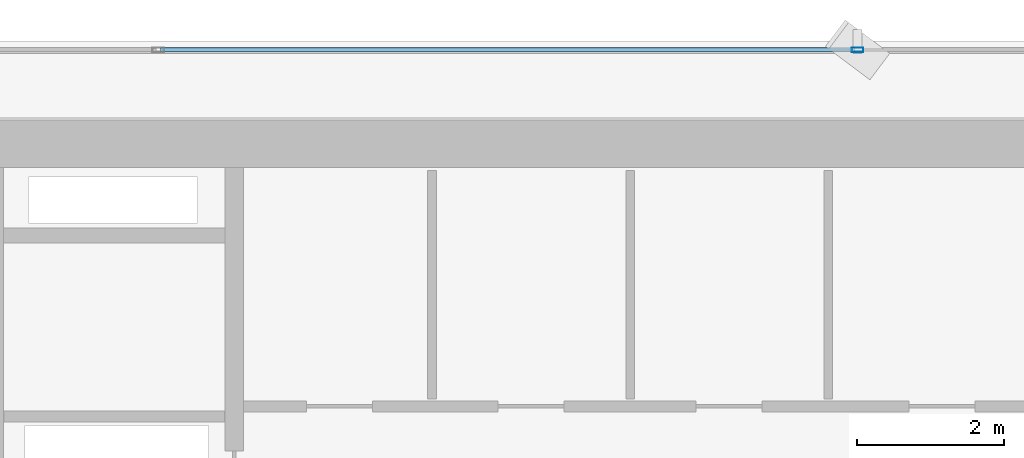
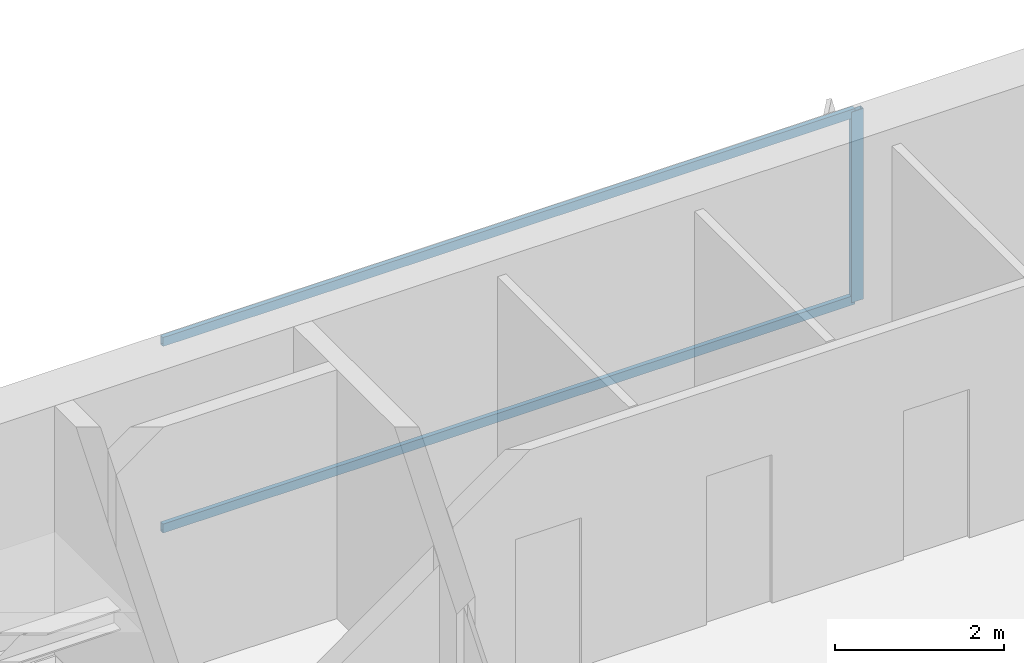
# One storey, part 16 of 27: 3 members, 1 element without a shape of its own.
"""IFC4 building model written with IfcOpenShell, lengths in metres."""

import ifcopenshell
import ifcopenshell.guid

model = None  # the IFC model being written
_history = None  # IfcOwnerHistory: only IFC2X3 demands one
_inside = {}  # id of a spatial element -> (the spatial element, [elements in it])
_under = {}  # id of a project, library or spatial element -> (it, [spatial elements below it])
_declared = {}  # id of a project -> (the project, [libraries it declares])
_typed = {}  # id of a type object -> (the type object, [elements of that type])
_made_of = {}  # id of a material, layer set ... -> (it, [elements and type objects made of it])


def new_model(schema):
    """Start an empty IFC model of exactly this schema.

    Asked for "IFC4X3", IfcOpenShell would pick the latest addendum, in which some entities
    have other attributes; the version numbers below select the first issue.
    IFC2X3 requires an IfcOwnerHistory on every rooted entity: one is made here for all.
    """
    global model, _history
    if schema == "IFC4X3":
        model = ifcopenshell.file(schema_version=(4, 3, 0, 0))
    else:
        model = ifcopenshell.file(schema=schema)
    _inside.clear()
    _under.clear()
    _declared.clear()
    _typed.clear()
    _made_of.clear()
    _history = None
    if model.schema == "IFC2X3":
        org = make("IfcOrganization", Name="unknown")
        user = make(
            "IfcPersonAndOrganization",
            ThePerson=make("IfcPerson", FamilyName="unknown"),
            TheOrganization=org,
        )
        app = make(
            "IfcApplication",
            ApplicationDeveloper=org,
            Version="unknown",
            ApplicationFullName="unknown",
            ApplicationIdentifier="unknown",
        )
        _history = make(
            "IfcOwnerHistory",
            OwningUser=user,
            OwningApplication=app,
            ChangeAction="ADDED",
            CreationDate=0,
        )
    return model


def make(cls, **values):
    """One entity of the class cls with the attributes given. An attribute that is None is left unset."""
    return model.create_entity(
        cls, **{name: value for name, value in values.items() if value is not None}
    )


def rooted(cls, **values):
    """An entity with a GlobalId (a new one), such as an element, a storey or a relation."""
    return make(cls, GlobalId=ifcopenshell.guid.new(), OwnerHistory=_history, **values)


def si_unit(unit_type, name, prefix=None):
    """IfcSIUnit, for example si_unit("LENGTHUNIT", "METRE", prefix="MILLI")."""
    return make("IfcSIUnit", UnitType=unit_type, Prefix=prefix, Name=name)


def assignment(units):
    """IfcUnitAssignment: the units of a project."""
    return None if units is None else make("IfcUnitAssignment", Units=units)


def point(xyz):
    """IfcCartesianPoint."""
    return None if xyz is None else make("IfcCartesianPoint", Coordinates=xyz)


def direction(xyz):
    """IfcDirection."""
    return None if xyz is None else make("IfcDirection", DirectionRatios=xyz)


def frame(location, z_axis=None, x_axis=None):
    """IfcAxis2Placement3D, a coordinate frame: its origin and axes. An axis left out is left unset."""
    return make(
        "IfcAxis2Placement3D",
        Location=point(location),
        Axis=direction(z_axis),
        RefDirection=direction(x_axis),
    )


def frame_2d(location, x_axis=None):
    """IfcAxis2Placement2D, a coordinate frame in the plane: its origin and x axis."""
    return make(
        "IfcAxis2Placement2D", Location=point(location), RefDirection=direction(x_axis)
    )


def origin():
    """The frame at (0, 0, 0) with its axes left unset."""
    return frame((0.0, 0.0, 0.0))


def origin_2d():
    """The frame at (0, 0) in the plane with its x axis left unset."""
    return frame_2d((0.0, 0.0))


def place(relative_to, where):
    """IfcLocalPlacement: puts the frame where relative to a parent placement (None: the world)."""
    return make(
        "IfcLocalPlacement", PlacementRelTo=relative_to, RelativePlacement=where
    )


def context(
    kind, dimensions, precision=None, world=None, true_north=None, identifier=None
):
    """IfcGeometricRepresentationContext, for example the 3D "Model" context."""
    return make(
        "IfcGeometricRepresentationContext",
        ContextIdentifier=identifier,
        ContextType=kind,
        CoordinateSpaceDimension=dimensions,
        Precision=precision,
        WorldCoordinateSystem=world,
        TrueNorth=true_north,
    )


def subcontext(parent, identifier, kind, view, scale=None):
    """IfcGeometricRepresentationSubContext, for example "Body" below "Model"."""
    return make(
        "IfcGeometricRepresentationSubContext",
        ContextIdentifier=identifier,
        ContextType=kind,
        ParentContext=parent,
        TargetScale=scale,
        TargetView=view,
    )


def project(units=None, contexts=None):
    """IfcProject with its units and contexts."""
    return rooted(
        "IfcProject",
        Name="project",
        RepresentationContexts=contexts,
        UnitsInContext=assignment(units),
    )


def spatial(cls, under=None, at=None, **own):
    """A site, building, storey or space (cls), placed at a placement, below another one or the project."""
    s = rooted(cls, ObjectPlacement=at, **own)
    if under is not None:
        _under.setdefault(under.id(), (under, []))[1].append(s)
    return s


def profile(cls, at=None, kind="AREA", **sizes):
    """A parametric profile (cls). Its sizes go by their IFC names, for example OverallWidth=200.0."""
    return make(cls, ProfileType=kind, Position=at, **sizes)


def hollow_rectangle(**sizes):
    """IfcRectangleHollowProfileDef."""
    return profile("IfcRectangleHollowProfileDef", **sizes)


def extrude(swept, where, along, depth):
    """IfcExtrudedAreaSolid: the profile swept, set in the frame where, extruded along a direction by depth."""
    return make(
        "IfcExtrudedAreaSolid",
        SweptArea=swept,
        Position=where,
        ExtrudedDirection=direction(along),
        Depth=depth,
    )


def shape(context_of_items, identifier, shape_type, items):
    """IfcShapeRepresentation: the items that make up one representation, for example the "Body"."""
    return make(
        "IfcShapeRepresentation",
        ContextOfItems=context_of_items,
        RepresentationIdentifier=identifier,
        RepresentationType=shape_type,
        Items=items,
    )


def source(mapping_origin, context_of_items, identifier, shape_type, items):
    """IfcRepresentationMap: a shape defined once, which mapped items show again and again."""
    return make(
        "IfcRepresentationMap",
        MappingOrigin=mapping_origin,
        MappedRepresentation=shape(context_of_items, identifier, shape_type, items),
    )


def transform(
    local_origin,
    x_axis=None,
    y_axis=None,
    z_axis=None,
    scale=None,
    scale2=None,
    scale3=None,
    uniform=True,
):
    """IfcCartesianTransformationOperator3D, or its non-uniform kind. x_axis, y_axis, z_axis: its Axis1, 2, 3."""
    if uniform:
        return make(
            "IfcCartesianTransformationOperator3D",
            Axis1=direction(x_axis),
            Axis2=direction(y_axis),
            LocalOrigin=point(local_origin),
            Scale=scale,
            Axis3=direction(z_axis),
        )
    return make(
        "IfcCartesianTransformationOperator3DnonUniform",
        Axis1=direction(x_axis),
        Axis2=direction(y_axis),
        LocalOrigin=point(local_origin),
        Scale=scale,
        Axis3=direction(z_axis),
        Scale2=scale2,
        Scale3=scale3,
    )


def mapped(mapping_source, mapping_target):
    """IfcMappedItem: shows the shape of a source again, moved by a transform."""
    return make(
        "IfcMappedItem", MappingSource=mapping_source, MappingTarget=mapping_target
    )


def material(Name=None, Category=None):
    """IfcMaterial."""
    return make("IfcMaterial", Name=Name, Category=Category)


def layer(
    of_material, thickness, ventilated=None, Name=None, Category=None, Priority=None
):
    """IfcMaterialLayer: one layer of a wall or slab, of a material (None: an air gap)."""
    return make(
        "IfcMaterialLayer",
        Material=of_material,
        LayerThickness=thickness,
        IsVentilated=ventilated,
        Name=Name,
        Category=Category,
        Priority=Priority,
    )


def layer_set(layers, Name=None):
    """IfcMaterialLayerSet."""
    return make("IfcMaterialLayerSet", MaterialLayers=layers, LayerSetName=Name)


def material_profile(
    of_material, cross_section, Name=None, Category=None, Priority=None
):
    """IfcMaterialProfile: a cross section and its material."""
    return make(
        "IfcMaterialProfile",
        Name=Name,
        Material=of_material,
        Profile=cross_section,
        Priority=Priority,
        Category=Category,
    )


def profile_set(profiles, Name=None, composite=None):
    """IfcMaterialProfileSet."""
    return make(
        "IfcMaterialProfileSet",
        Name=Name,
        MaterialProfiles=profiles,
        CompositeProfile=composite,
    )


def made_of(thing, what):
    """Note that an element or type object is made of a material, layer set ...; save() writes the relation."""
    if what is not None:
        _made_of.setdefault(what.id(), (what, []))[1].append(thing)
    return thing


def type_object(cls, material=None, **own):
    """A type object (cls), such as IfcWallType, which elements share."""
    return made_of(rooted(cls, **own), material)


def element(
    cls,
    number,
    at=None,
    inside=None,
    cuts=None,
    type_object=None,
    material=None,
    context=None,
    identifier="Body",
    shape_type=None,
    held_by="IfcProductDefinitionShape",
    body=None,
    shapes=None,
    **own,
):
    """One element of the class cls, such as IfcWall. Its Tag is "e" and its number.

    at: its placement. inside: the storey or other place that contains it. cuts: it is an
    opening in that element (IfcRelVoidsElement). A single representation is given by context,
    identifier, shape_type and body (its items); several are given by shapes. held_by: the class
    of the entity that holds the representations. save() writes the other relations.
    """
    e = rooted(cls, Tag="e%d" % number, ObjectPlacement=at, **own)
    if body is not None:
        shapes = [shape(context, identifier, shape_type, body)]
    if shapes is not None:
        e.Representation = make(held_by, Representations=shapes)
    if inside is not None:
        _inside.setdefault(inside.id(), (inside, []))[1].append(e)
    if cuts is not None:
        rooted(
            "IfcRelVoidsElement", RelatingBuildingElement=cuts, RelatedOpeningElement=e
        )
    if type_object is not None:
        _typed.setdefault(type_object.id(), (type_object, []))[1].append(e)
    return made_of(e, material)


def aggregate(whole, parts):
    """IfcRelAggregates: a whole, such as a stair, and the parts it consists of."""
    return rooted("IfcRelAggregates", RelatingObject=whole, RelatedObjects=parts)


def save(model, path):
    """Write the relations noted so far, then the file.

    IfcRelAggregates (storeys below a building ...), IfcRelContainedInSpatialStructure (elements
    in a storey), IfcRelDefinesByType, IfcRelAssociatesMaterial and IfcRelDeclares: one each for
    every whole, place, type object, material and project.
    """
    for whole, parts in _under.values():
        aggregate(whole, parts)
    for where, things in _inside.values():
        rooted(
            "IfcRelContainedInSpatialStructure",
            RelatedElements=things,
            RelatingStructure=where,
        )
    for kind, things in _typed.values():
        rooted("IfcRelDefinesByType", RelatedObjects=things, RelatingType=kind)
    for what, things in _made_of.values():
        rooted("IfcRelAssociatesMaterial", RelatedObjects=things, RelatingMaterial=what)
    for by, libraries in _declared.values():
        rooted("IfcRelDeclares", RelatingContext=by, RelatedDefinitions=libraries)
    model.write(path)


model = new_model("IFC4")

# Units and contexts
model_context = context("Model", 3, precision=1e-05, world=origin(), true_north=direction((0.0, 1.0)))
body_context = subcontext(model_context, "Body", "Model", "MODEL_VIEW")
ifc_project = project(units=[si_unit("LENGTHUNIT", "METRE"), si_unit("AREAUNIT", "SQUARE_METRE"), si_unit("VOLUMEUNIT", "CUBIC_METRE"), si_unit("PLANEANGLEUNIT", "RADIAN"), si_unit("MASSUNIT", "GRAM", prefix="KILO")], contexts=[model_context])

# Site, building, storey
site_placement = place(None, origin())
site = spatial("IfcSite", under=ifc_project, at=site_placement, CompositionType="ELEMENT")
building_placement = place(site_placement, origin())
building = spatial("IfcBuilding", under=site, at=building_placement, Name="Sumidabori Civic Tower", CompositionType="ELEMENT")
storey_placement = place(building_placement, frame((0.0, 0.0, 135.199951171875)))
storey = spatial("IfcBuildingStorey", under=building, at=storey_placement, Name="L34", CompositionType="ELEMENT", Elevation=135.199951171875)

# Curtain wall, members
ifc_material = material(Name="Anodised Bronze Aluminium AW-6063-T6", Category="aluminium")
ifc_layer = layer(ifc_material, 0.179931640625, Name="Anodised Bronze Aluminium AW-6063-T6")
ifc_layer_set = layer_set([ifc_layer], Name="Anodised Bronze Aluminium AW-6063-T6")
curtain_wall_type = type_object("IfcCurtainWallType", Name="CW-SYS-3", PredefinedType="NOTDEFINED", material=ifc_layer_set)
curtain_wall_placement = place(storey_placement, origin())
curtain_wall = element("IfcCurtainWall", 1, at=curtain_wall_placement, inside=storey, type_object=curtain_wall_type, Name="Curtain Wall CW:L34:R07", PredefinedType="NOTDEFINED")
ifc_material_profile_1 = material_profile(ifc_material, hollow_rectangle(XDim=0.06494140625, YDim=0.159912109375, WallThickness=0.0048828125, at=origin_2d()), Name="ALU MULLION 160x65")
ifc_profile_set_1 = profile_set([ifc_material_profile_1], Name="Anodised Bronze Aluminium AW-6063-T6")
member_type_1 = type_object("IfcMemberType", Name="CW-MUL-160", PredefinedType="MULLION", material=ifc_profile_set_1)
shared_shape_1 = source(origin(), body_context, "Body", "SweptSolid", [
    extrude(hollow_rectangle(XDim=0.06494140625, YDim=0.159912109375, WallThickness=0.0048828125, at=origin_2d()), origin(), (0.0, 0.0, 1.0), 2.760009765625),
])
member_1_placement = place(storey_placement, frame((0.0, 25.080078125, 0.0), z_axis=(0.0, 0.0, 1.0), x_axis=(0.0, -1.0, 0.0)))
member_1 = element("IfcMember", 2, at=member_1_placement, type_object=member_type_1, Name="CW-3 mullion 3", PredefinedType="MULLION", context=body_context, shape_type="MappedRepresentation", body=[
    mapped(shared_shape_1, transform((0.0, 0.0, 0.0), x_axis=(1.0, 0.0, 0.0), y_axis=(0.0, 1.0, 0.0), z_axis=(0.0, 0.0, 1.0), scale=1.0)),
])
ifc_material_profile_2 = material_profile(ifc_material, hollow_rectangle(XDim=0.06005859375, YDim=0.1298828125, WallThickness=0.0048828125, at=origin_2d()), Name="ALU TRANSOM 130x60")
ifc_profile_set_2 = profile_set([ifc_material_profile_2], Name="Anodised Bronze Aluminium AW-6063-T6")
member_type_2 = type_object("IfcMemberType", Name="CW-TRN-130", PredefinedType="USERDEFINED", material=ifc_profile_set_2)
shared_shape_2 = source(origin(), body_context, "Body", "SweptSolid", [
    extrude(hollow_rectangle(XDim=0.06005859375, YDim=0.1298828125, WallThickness=0.0048828125, at=origin_2d()), origin(), (0.0, 0.0, 1.0), 9.469970703125),
])
member_2_placement = place(storey_placement, frame((-0.032470703125, 25.080078125, 0.030029296875), z_axis=(-1.0, 0.0, 0.0), x_axis=(0.0, -1.0, 0.0)))
member_2 = element("IfcMember", 3, at=member_2_placement, type_object=member_type_2, Name="CW-3 transom 3.1", ObjectType="TRANSOM", PredefinedType="USERDEFINED", context=body_context, shape_type="MappedRepresentation", body=[
    mapped(shared_shape_2, transform((0.0, 0.0, 0.0), x_axis=(1.0, 0.0, 0.0), y_axis=(0.0, 1.0, 0.0), z_axis=(0.0, 0.0, 1.0), scale=1.0)),
])
member_3_placement = place(storey_placement, frame((-0.032470703125, 25.080078125, 2.72998046875), z_axis=(-1.0, 0.0, 0.0), x_axis=(0.0, -1.0, 0.0)))
member_3 = element("IfcMember", 4, at=member_3_placement, type_object=member_type_2, Name="CW-3 transom 3.2", ObjectType="TRANSOM", PredefinedType="USERDEFINED", context=body_context, shape_type="MappedRepresentation", body=[
    mapped(shared_shape_2, transform((0.0, 0.0, 0.0), x_axis=(1.0, 0.0, 0.0), y_axis=(0.0, 1.0, 0.0), z_axis=(0.0, 0.0, 1.0), scale=1.0)),
])
aggregate(curtain_wall, [member_1, member_2, member_3])

save(model, "model.ifc")
